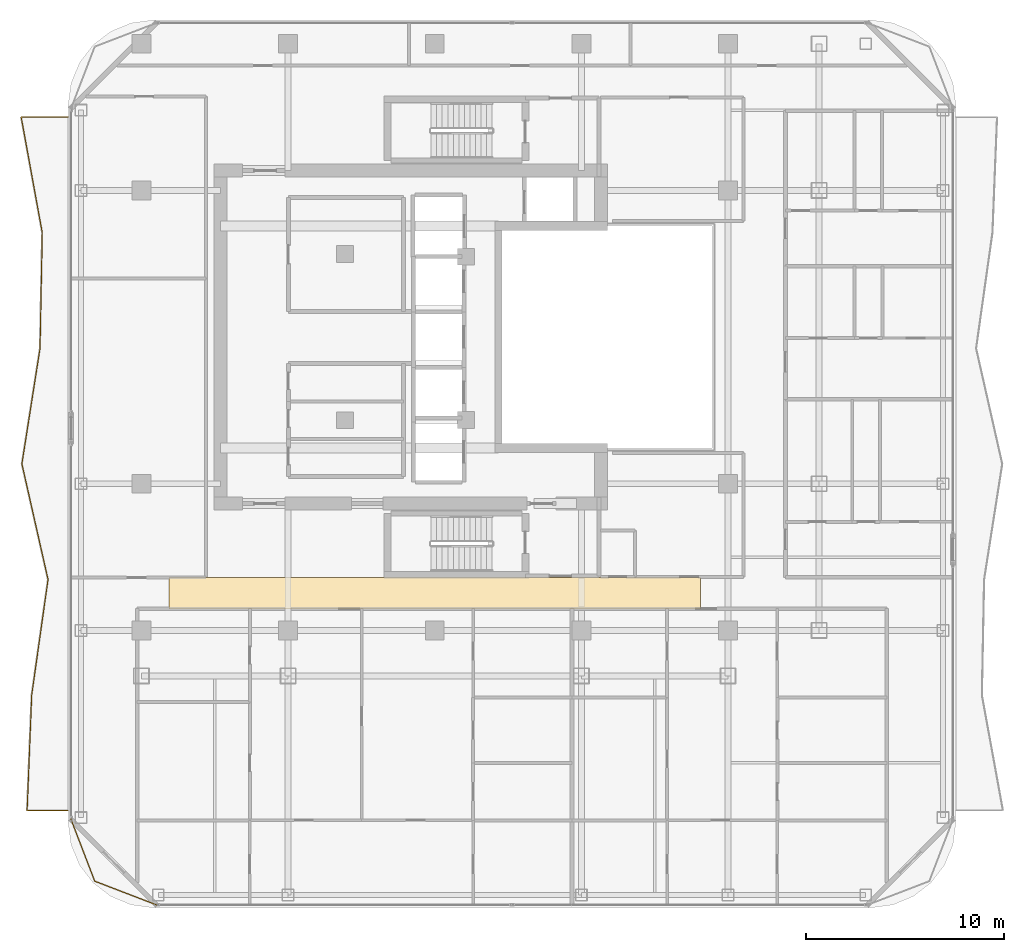
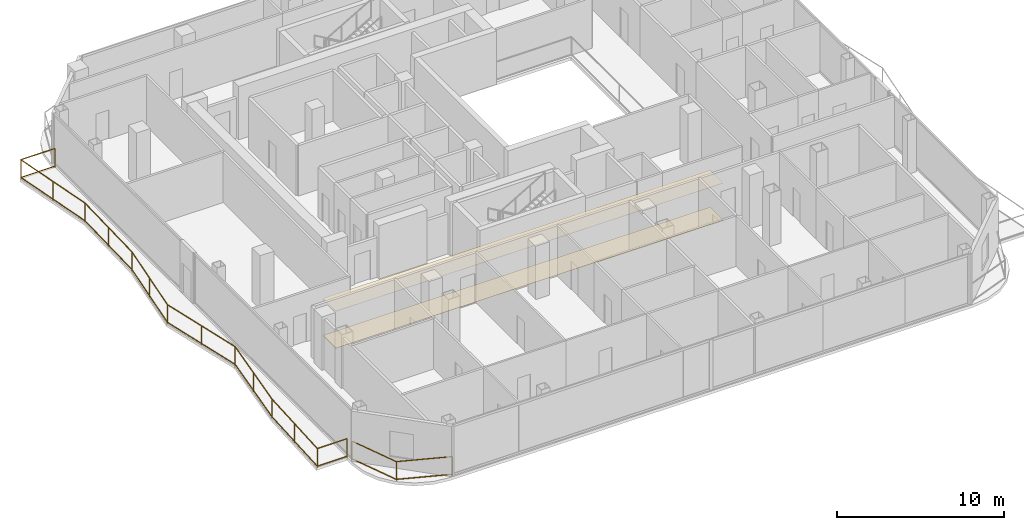
# One storey, part 25 of 27: 2 coverings, 2 railings.
"""IFC4 building model written with IfcOpenShell, lengths in metres."""

import ifcopenshell
import ifcopenshell.guid

model = None  # the IFC model being written
_history = None  # IfcOwnerHistory: only IFC2X3 demands one
_inside = {}  # id of a spatial element -> (the spatial element, [elements in it])
_under = {}  # id of a project, library or spatial element -> (it, [spatial elements below it])
_declared = {}  # id of a project -> (the project, [libraries it declares])
_typed = {}  # id of a type object -> (the type object, [elements of that type])
_made_of = {}  # id of a material, layer set ... -> (it, [elements and type objects made of it])


def new_model(schema):
    """Start an empty IFC model of exactly this schema.

    Asked for "IFC4X3", IfcOpenShell would pick the latest addendum, in which some entities
    have other attributes; the version numbers below select the first issue.
    IFC2X3 requires an IfcOwnerHistory on every rooted entity: one is made here for all.
    """
    global model, _history
    if schema == "IFC4X3":
        model = ifcopenshell.file(schema_version=(4, 3, 0, 0))
    else:
        model = ifcopenshell.file(schema=schema)
    _inside.clear()
    _under.clear()
    _declared.clear()
    _typed.clear()
    _made_of.clear()
    _history = None
    if model.schema == "IFC2X3":
        org = make("IfcOrganization", Name="unknown")
        user = make(
            "IfcPersonAndOrganization",
            ThePerson=make("IfcPerson", FamilyName="unknown"),
            TheOrganization=org,
        )
        app = make(
            "IfcApplication",
            ApplicationDeveloper=org,
            Version="unknown",
            ApplicationFullName="unknown",
            ApplicationIdentifier="unknown",
        )
        _history = make(
            "IfcOwnerHistory",
            OwningUser=user,
            OwningApplication=app,
            ChangeAction="ADDED",
            CreationDate=0,
        )
    return model


def make(cls, **values):
    """One entity of the class cls with the attributes given. An attribute that is None is left unset."""
    return model.create_entity(
        cls, **{name: value for name, value in values.items() if value is not None}
    )


def rooted(cls, **values):
    """An entity with a GlobalId (a new one), such as an element, a storey or a relation."""
    return make(cls, GlobalId=ifcopenshell.guid.new(), OwnerHistory=_history, **values)


def si_unit(unit_type, name, prefix=None):
    """IfcSIUnit, for example si_unit("LENGTHUNIT", "METRE", prefix="MILLI")."""
    return make("IfcSIUnit", UnitType=unit_type, Prefix=prefix, Name=name)


def assignment(units):
    """IfcUnitAssignment: the units of a project."""
    return None if units is None else make("IfcUnitAssignment", Units=units)


def point(xyz):
    """IfcCartesianPoint."""
    return None if xyz is None else make("IfcCartesianPoint", Coordinates=xyz)


def direction(xyz):
    """IfcDirection."""
    return None if xyz is None else make("IfcDirection", DirectionRatios=xyz)


def frame(location, z_axis=None, x_axis=None):
    """IfcAxis2Placement3D, a coordinate frame: its origin and axes. An axis left out is left unset."""
    return make(
        "IfcAxis2Placement3D",
        Location=point(location),
        Axis=direction(z_axis),
        RefDirection=direction(x_axis),
    )


def frame_2d(location, x_axis=None):
    """IfcAxis2Placement2D, a coordinate frame in the plane: its origin and x axis."""
    return make(
        "IfcAxis2Placement2D", Location=point(location), RefDirection=direction(x_axis)
    )


def origin():
    """The frame at (0, 0, 0) with its axes left unset."""
    return frame((0.0, 0.0, 0.0))


def origin_2d():
    """The frame at (0, 0) in the plane with its x axis left unset."""
    return frame_2d((0.0, 0.0))


def place(relative_to, where):
    """IfcLocalPlacement: puts the frame where relative to a parent placement (None: the world)."""
    return make(
        "IfcLocalPlacement", PlacementRelTo=relative_to, RelativePlacement=where
    )


def context(
    kind, dimensions, precision=None, world=None, true_north=None, identifier=None
):
    """IfcGeometricRepresentationContext, for example the 3D "Model" context."""
    return make(
        "IfcGeometricRepresentationContext",
        ContextIdentifier=identifier,
        ContextType=kind,
        CoordinateSpaceDimension=dimensions,
        Precision=precision,
        WorldCoordinateSystem=world,
        TrueNorth=true_north,
    )


def subcontext(parent, identifier, kind, view, scale=None):
    """IfcGeometricRepresentationSubContext, for example "Body" below "Model"."""
    return make(
        "IfcGeometricRepresentationSubContext",
        ContextIdentifier=identifier,
        ContextType=kind,
        ParentContext=parent,
        TargetScale=scale,
        TargetView=view,
    )


def project(units=None, contexts=None):
    """IfcProject with its units and contexts."""
    return rooted(
        "IfcProject",
        Name="project",
        RepresentationContexts=contexts,
        UnitsInContext=assignment(units),
    )


def spatial(cls, under=None, at=None, **own):
    """A site, building, storey or space (cls), placed at a placement, below another one or the project."""
    s = rooted(cls, ObjectPlacement=at, **own)
    if under is not None:
        _under.setdefault(under.id(), (under, []))[1].append(s)
    return s


def polyline(points):
    """IfcPolyline through the points."""
    return make("IfcPolyline", Points=[point(p) for p in points])


def profile(cls, at=None, kind="AREA", **sizes):
    """A parametric profile (cls). Its sizes go by their IFC names, for example OverallWidth=200.0."""
    return make(cls, ProfileType=kind, Position=at, **sizes)


def rectangle(**sizes):
    """IfcRectangleProfileDef."""
    return profile("IfcRectangleProfileDef", **sizes)


def outline(outer, holes=None, kind="AREA"):
    """IfcArbitraryClosedProfileDef: a profile drawn as a closed curve; with holes, ...WithVoids."""
    if holes is None:
        return make("IfcArbitraryClosedProfileDef", ProfileType=kind, OuterCurve=outer)
    return make(
        "IfcArbitraryProfileDefWithVoids",
        ProfileType=kind,
        OuterCurve=outer,
        InnerCurves=holes,
    )


def extrude(swept, where, along, depth):
    """IfcExtrudedAreaSolid: the profile swept, set in the frame where, extruded along a direction by depth."""
    return make(
        "IfcExtrudedAreaSolid",
        SweptArea=swept,
        Position=where,
        ExtrudedDirection=direction(along),
        Depth=depth,
    )


def shape(context_of_items, identifier, shape_type, items):
    """IfcShapeRepresentation: the items that make up one representation, for example the "Body"."""
    return make(
        "IfcShapeRepresentation",
        ContextOfItems=context_of_items,
        RepresentationIdentifier=identifier,
        RepresentationType=shape_type,
        Items=items,
    )


def material(Name=None, Category=None):
    """IfcMaterial."""
    return make("IfcMaterial", Name=Name, Category=Category)


def layer(
    of_material, thickness, ventilated=None, Name=None, Category=None, Priority=None
):
    """IfcMaterialLayer: one layer of a wall or slab, of a material (None: an air gap)."""
    return make(
        "IfcMaterialLayer",
        Material=of_material,
        LayerThickness=thickness,
        IsVentilated=ventilated,
        Name=Name,
        Category=Category,
        Priority=Priority,
    )


def layer_set(layers, Name=None):
    """IfcMaterialLayerSet."""
    return make("IfcMaterialLayerSet", MaterialLayers=layers, LayerSetName=Name)


def made_of(thing, what):
    """Note that an element or type object is made of a material, layer set ...; save() writes the relation."""
    if what is not None:
        _made_of.setdefault(what.id(), (what, []))[1].append(thing)
    return thing


def type_object(cls, material=None, **own):
    """A type object (cls), such as IfcWallType, which elements share."""
    return made_of(rooted(cls, **own), material)


def element(
    cls,
    number,
    at=None,
    inside=None,
    cuts=None,
    type_object=None,
    material=None,
    context=None,
    identifier="Body",
    shape_type=None,
    held_by="IfcProductDefinitionShape",
    body=None,
    shapes=None,
    **own,
):
    """One element of the class cls, such as IfcWall. Its Tag is "e" and its number.

    at: its placement. inside: the storey or other place that contains it. cuts: it is an
    opening in that element (IfcRelVoidsElement). A single representation is given by context,
    identifier, shape_type and body (its items); several are given by shapes. held_by: the class
    of the entity that holds the representations. save() writes the other relations.
    """
    e = rooted(cls, Tag="e%d" % number, ObjectPlacement=at, **own)
    if body is not None:
        shapes = [shape(context, identifier, shape_type, body)]
    if shapes is not None:
        e.Representation = make(held_by, Representations=shapes)
    if inside is not None:
        _inside.setdefault(inside.id(), (inside, []))[1].append(e)
    if cuts is not None:
        rooted(
            "IfcRelVoidsElement", RelatingBuildingElement=cuts, RelatedOpeningElement=e
        )
    if type_object is not None:
        _typed.setdefault(type_object.id(), (type_object, []))[1].append(e)
    return made_of(e, material)


def aggregate(whole, parts):
    """IfcRelAggregates: a whole, such as a stair, and the parts it consists of."""
    return rooted("IfcRelAggregates", RelatingObject=whole, RelatedObjects=parts)


def save(model, path):
    """Write the relations noted so far, then the file.

    IfcRelAggregates (storeys below a building ...), IfcRelContainedInSpatialStructure (elements
    in a storey), IfcRelDefinesByType, IfcRelAssociatesMaterial and IfcRelDeclares: one each for
    every whole, place, type object, material and project.
    """
    for whole, parts in _under.values():
        aggregate(whole, parts)
    for where, things in _inside.values():
        rooted(
            "IfcRelContainedInSpatialStructure",
            RelatedElements=things,
            RelatingStructure=where,
        )
    for kind, things in _typed.values():
        rooted("IfcRelDefinesByType", RelatedObjects=things, RelatingType=kind)
    for what, things in _made_of.values():
        rooted("IfcRelAssociatesMaterial", RelatedObjects=things, RelatingMaterial=what)
    for by, libraries in _declared.values():
        rooted("IfcRelDeclares", RelatingContext=by, RelatedDefinitions=libraries)
    model.write(path)


model = new_model("IFC4")

# Units and contexts
model_context = context("Model", 3, precision=1e-05, world=origin(), true_north=direction((0.0, 1.0)))
body_context = subcontext(model_context, "Body", "Model", "MODEL_VIEW")
ifc_project = project(units=[si_unit("LENGTHUNIT", "METRE"), si_unit("AREAUNIT", "SQUARE_METRE"), si_unit("VOLUMEUNIT", "CUBIC_METRE"), si_unit("PLANEANGLEUNIT", "RADIAN"), si_unit("MASSUNIT", "GRAM", prefix="KILO")], contexts=[model_context])

# Site, building, storey
site_placement = place(None, origin())
site = spatial("IfcSite", under=ifc_project, at=site_placement, CompositionType="ELEMENT")
building_placement = place(site_placement, origin())
building = spatial("IfcBuilding", under=site, at=building_placement, Name="Khorvyn Point Tower", CompositionType="ELEMENT")
storey_placement = place(building_placement, frame((0.0, 0.0, 243.0)))
storey = spatial("IfcBuildingStorey", under=building, at=storey_placement, Name="L59", CompositionType="ELEMENT", Elevation=243.0)

# Railings
ifc_material_1 = material(Name="Anodised aluminium 6063-T6 and laminated safety glass", Category="aluminium")
railing_type = type_object("IfcRailingType", Name="Laminated Glass and Aluminium Balcony Guardrail 1400", PredefinedType="BALUSTRADE", material=ifc_material_1)
railing_1_placement = place(storey_placement, frame((-18.374267578125, -24.28125, 0.0)))
element("IfcRailing", 1, at=railing_1_placement, inside=storey, type_object=railing_type, Name="L59 Rounded Corner Edge Guardrail SW", PredefinedType="BALUSTRADE", context=body_context, shape_type="SweptSolid", body=[
    extrude(rectangle(XDim=0.048095703125, YDim=0.048095703125, at=origin_2d()), frame((0.0, 0.0, 1.3759765625), z_axis=(0.358343916815, -0.933589651443, 0.0), x_axis=(0.933589651443, 0.358343916815, 0.0)), (0.0, 0.0, 1.0), 3.400390625),
    extrude(rectangle(XDim=0.048095703125, YDim=0.048095703125, at=origin_2d()), frame((0.0, 0.0, 0.080078125), z_axis=(0.358343916815, -0.933589651443, 0.0), x_axis=(0.933589651443, 0.358343916815, 0.0)), (0.0, 0.0, 1.0), 3.400390625),
    extrude(rectangle(XDim=0.048095703125, YDim=0.048095703125, at=origin_2d()), frame((1.218505859375, -3.174560546875, 1.3759765625), z_axis=(0.933589651443, -0.358343916815, 0.0), x_axis=(0.358343916815, 0.933589651443, 0.0)), (0.0, 0.0, 1.0), 3.400390625),
    extrude(rectangle(XDim=0.048095703125, YDim=0.048095703125, at=origin_2d()), frame((1.218505859375, -3.174560546875, 0.080078125), z_axis=(0.933589651443, -0.358343916815, 0.0), x_axis=(0.358343916815, 0.933589651443, 0.0)), (0.0, 0.0, 1.0), 3.400390625),
    extrude(rectangle(XDim=0.0419921875, YDim=0.0419921875, at=origin_2d()), origin(), (0.0, 0.0, 1.0), 1.351806640625),
    extrude(rectangle(XDim=0.0419921875, YDim=0.0419921875, at=origin_2d()), frame((1.218505859375, -3.174560546875, 0.0)), (0.0, 0.0, 1.0), 1.351806640625),
    extrude(rectangle(XDim=0.0419921875, YDim=0.0419921875, at=origin_2d()), frame((4.39306640625, -4.39306640625, 0.0)), (0.0, 0.0, 1.0), 1.351806640625),
])
railing_2_placement = place(storey_placement, frame((-18.5, 11.10009765625, 0.0)))
element("IfcRailing", 2, at=railing_2_placement, inside=storey, type_object=railing_type, Name="L59 West Balcony Guardrail", PredefinedType="BALUSTRADE", context=body_context, shape_type="SweptSolid", body=[
    extrude(rectangle(XDim=0.048095703125, YDim=0.048095703125, at=origin_2d()), frame((0.0, 0.0, 1.3759765625), z_axis=(-1.0, 0.0, 0.0), x_axis=(0.0, -1.0, 0.0)), (0.0, 0.0, 1.0), 2.36669921875),
    extrude(rectangle(XDim=0.048095703125, YDim=0.048095703125, at=origin_2d()), frame((0.0, 0.0, 0.080078125), z_axis=(-1.0, 0.0, 0.0), x_axis=(0.0, -1.0, 0.0)), (0.0, 0.0, 1.0), 2.36669921875),
    extrude(rectangle(XDim=0.048095703125, YDim=0.048095703125, at=origin_2d()), frame((-2.36669921875, 0.0, 1.3759765625), z_axis=(0.179349189969, -0.983785478678, 0.0), x_axis=(0.983785478678, 0.179349189969, 0.0)), (0.0, 0.0, 1.0), 5.9296875),
    extrude(rectangle(XDim=0.048095703125, YDim=0.048095703125, at=origin_2d()), frame((-2.36669921875, 0.0, 0.080078125), z_axis=(0.179349189969, -0.983785478678, 0.0), x_axis=(0.983785478678, 0.179349189969, 0.0)), (0.0, 0.0, 1.0), 5.9296875),
    extrude(rectangle(XDim=0.048095703125, YDim=0.048095703125, at=origin_2d()), frame((-1.30322265625, -5.83349609375, 1.3759765625), z_axis=(-0.01924893367, -0.999814722112, 0.0), x_axis=(0.999814722112, -0.01924893367, 0.0)), (0.0, 0.0, 1.0), 5.834228515625),
    extrude(rectangle(XDim=0.048095703125, YDim=0.048095703125, at=origin_2d()), frame((-1.30322265625, -5.83349609375, 0.080078125), z_axis=(-0.01924893367, -0.999814722112, 0.0), x_axis=(0.999814722112, -0.01924893367, 0.0)), (0.0, 0.0, 1.0), 5.834228515625),
    extrude(rectangle(XDim=0.048095703125, YDim=0.048095703125, at=origin_2d()), frame((-1.41552734375, -11.666748046875, 1.3759765625), z_axis=(-0.155011288159, -0.987912698847, 0.0), x_axis=(0.987912698847, -0.155011288159, 0.0)), (0.0, 0.0, 1.0), 5.904541015625),
    extrude(rectangle(XDim=0.048095703125, YDim=0.048095703125, at=origin_2d()), frame((-1.41552734375, -11.666748046875, 0.080078125), z_axis=(-0.155011288159, -0.987912698847, 0.0), x_axis=(0.987912698847, -0.155011288159, 0.0)), (0.0, 0.0, 1.0), 5.904541015625),
    extrude(rectangle(XDim=0.048095703125, YDim=0.048095703125, at=origin_2d()), frame((-2.330810546875, -17.5, 1.3759765625), z_axis=(0.220594131917, -0.975365689864, 0.0), x_axis=(0.975365689864, 0.220594131917, 0.0)), (0.0, 0.0, 1.0), 5.980712890625),
    extrude(rectangle(XDim=0.048095703125, YDim=0.048095703125, at=origin_2d()), frame((-2.330810546875, -17.5, 0.080078125), z_axis=(0.220594131917, -0.975365689864, 0.0), x_axis=(0.975365689864, 0.220594131917, 0.0)), (0.0, 0.0, 1.0), 5.980712890625),
    extrude(rectangle(XDim=0.048095703125, YDim=0.048095703125, at=origin_2d()), frame((-1.011474609375, -23.33349609375, 1.3759765625), z_axis=(-0.139947544031, -0.990158919022, 0.0), x_axis=(0.990158919022, -0.139947544031, 0.0)), (0.0, 0.0, 1.0), 5.89111328125),
    extrude(rectangle(XDim=0.048095703125, YDim=0.048095703125, at=origin_2d()), frame((-1.011474609375, -23.33349609375, 0.080078125), z_axis=(-0.139947544031, -0.990158919022, 0.0), x_axis=(0.990158919022, -0.139947544031, 0.0)), (0.0, 0.0, 1.0), 5.89111328125),
    extrude(rectangle(XDim=0.048095703125, YDim=0.048095703125, at=origin_2d()), frame((-1.8359375, -29.166748046875, 1.3759765625), z_axis=(-0.039770961789, -0.999208822318, 0.0), x_axis=(0.999208822318, -0.039770961789, 0.0)), (0.0, 0.0, 1.0), 5.837890625),
    extrude(rectangle(XDim=0.048095703125, YDim=0.048095703125, at=origin_2d()), frame((-1.8359375, -29.166748046875, 0.080078125), z_axis=(-0.039770961789, -0.999208822318, 0.0), x_axis=(0.999208822318, -0.039770961789, 0.0)), (0.0, 0.0, 1.0), 5.837890625),
    extrude(rectangle(XDim=0.048095703125, YDim=0.048095703125, at=origin_2d()), frame((-2.068115234375, -35.0, 1.3759765625), z_axis=(1.0, 0.0, 0.0), x_axis=(0.0, 1.0, 0.0)), (0.0, 0.0, 1.0), 2.068115234375),
    extrude(rectangle(XDim=0.048095703125, YDim=0.048095703125, at=origin_2d()), frame((-2.068115234375, -35.0, 0.080078125), z_axis=(1.0, 0.0, 0.0), x_axis=(0.0, 1.0, 0.0)), (0.0, 0.0, 1.0), 2.068115234375),
    extrude(rectangle(XDim=0.0419921875, YDim=0.0419921875, at=origin_2d()), origin(), (0.0, 0.0, 1.0), 1.351806640625),
    extrude(rectangle(XDim=0.0419921875, YDim=0.0419921875, at=origin_2d()), frame((-2.36669921875, 0.0, 0.0)), (0.0, 0.0, 1.0), 1.351806640625),
    extrude(rectangle(XDim=0.0419921875, YDim=0.0419921875, at=origin_2d()), frame((-1.8349609375, -2.916748046875, 0.0)), (0.0, 0.0, 1.0), 1.351806640625),
    extrude(rectangle(XDim=0.0419921875, YDim=0.0419921875, at=origin_2d()), frame((-1.30322265625, -5.83349609375, 0.0)), (0.0, 0.0, 1.0), 1.351806640625),
    extrude(rectangle(XDim=0.0419921875, YDim=0.0419921875, at=origin_2d()), frame((-1.359375, -8.75, 0.0)), (0.0, 0.0, 1.0), 1.351806640625),
    extrude(rectangle(XDim=0.0419921875, YDim=0.0419921875, at=origin_2d()), frame((-1.41552734375, -11.666748046875, 0.0)), (0.0, 0.0, 1.0), 1.351806640625),
    extrude(rectangle(XDim=0.0419921875, YDim=0.0419921875, at=origin_2d()), frame((-1.873046875, -14.58349609375, 0.0)), (0.0, 0.0, 1.0), 1.351806640625),
    extrude(rectangle(XDim=0.0419921875, YDim=0.0419921875, at=origin_2d()), frame((-2.330810546875, -17.5, 0.0)), (0.0, 0.0, 1.0), 1.351806640625),
    extrude(rectangle(XDim=0.0419921875, YDim=0.0419921875, at=origin_2d()), frame((-1.671142578125, -20.416748046875, 0.0)), (0.0, 0.0, 1.0), 1.351806640625),
    extrude(rectangle(XDim=0.0419921875, YDim=0.0419921875, at=origin_2d()), frame((-1.011474609375, -23.33349609375, 0.0)), (0.0, 0.0, 1.0), 1.351806640625),
    extrude(rectangle(XDim=0.0419921875, YDim=0.0419921875, at=origin_2d()), frame((-1.423828125, -26.25, 0.0)), (0.0, 0.0, 1.0), 1.351806640625),
    extrude(rectangle(XDim=0.0419921875, YDim=0.0419921875, at=origin_2d()), frame((-1.8359375, -29.166748046875, 0.0)), (0.0, 0.0, 1.0), 1.351806640625),
    extrude(rectangle(XDim=0.0419921875, YDim=0.0419921875, at=origin_2d()), frame((-1.9521484375, -32.08349609375, 0.0)), (0.0, 0.0, 1.0), 1.351806640625),
    extrude(rectangle(XDim=0.0419921875, YDim=0.0419921875, at=origin_2d()), frame((-2.068115234375, -35.0, 0.0)), (0.0, 0.0, 1.0), 1.351806640625),
    extrude(rectangle(XDim=0.0419921875, YDim=0.0419921875, at=origin_2d()), frame((0.0, -35.0, 0.0)), (0.0, 0.0, 1.0), 1.351806640625),
])

# Coverings
ifc_material_2 = material(Name="Mineral-fibre acoustic ceiling board", Category="gypsum")
ifc_layer_1 = layer(ifc_material_2, 0.02001953125)
ifc_layer_set_1 = layer_set([ifc_layer_1], Name="Perforated Mineral-Fibre Acoustic Suspended Ceiling 20")
covering_type_1 = type_object("IfcCoveringType", Name="Perforated Mineral-Fibre Acoustic Suspended Ceiling 20", PredefinedType="CEILING", material=ifc_layer_set_1)
covering_1_placement = place(storey_placement, frame((0.0, 0.0, 2.699951171875)))
element("IfcCovering", 3, at=covering_1_placement, inside=storey, type_object=covering_type_1, Name="L59 South Corridor Acoustic Ceiling", PredefinedType="CEILING", context=body_context, shape_type="SweptSolid", body=[
    extrude(outline(polyline([(-13.39990234375, -13.7099609375), (13.39990234375, -13.7099609375), (13.39990234375, -12.139892578125), (-13.39990234375, -12.139892578125), (-13.39990234375, -13.7099609375)])), origin(), (0.0, 0.0, 1.0), 0.02001953125),
])
ifc_material_3 = material(Name="Vitrified porcelain terrazzo tile", Category="ceramic")
ifc_layer_2 = layer(ifc_material_3, 0.01806640625)
ifc_layer_set_2 = layer_set([ifc_layer_2], Name="Porcelain Terrazzo Corridor Floor Finish Tile 18")
covering_type_2 = type_object("IfcCoveringType", Name="Porcelain Terrazzo Corridor Floor Finish Tile 18", PredefinedType="FLOORING", material=ifc_layer_set_2)
covering_2_placement = place(storey_placement, origin())
element("IfcCovering", 4, at=covering_2_placement, inside=storey, type_object=covering_type_2, Name="L59 South Corridor Terrazzo Flooring", PredefinedType="FLOORING", context=body_context, shape_type="SweptSolid", body=[
    extrude(outline(polyline([(-13.39990234375, -13.7099609375), (13.39990234375, -13.7099609375), (13.39990234375, -12.139892578125), (-13.39990234375, -12.139892578125), (-13.39990234375, -13.7099609375)])), origin(), (0.0, 0.0, 1.0), 0.01806640625),
])

save(model, "model.ifc")
